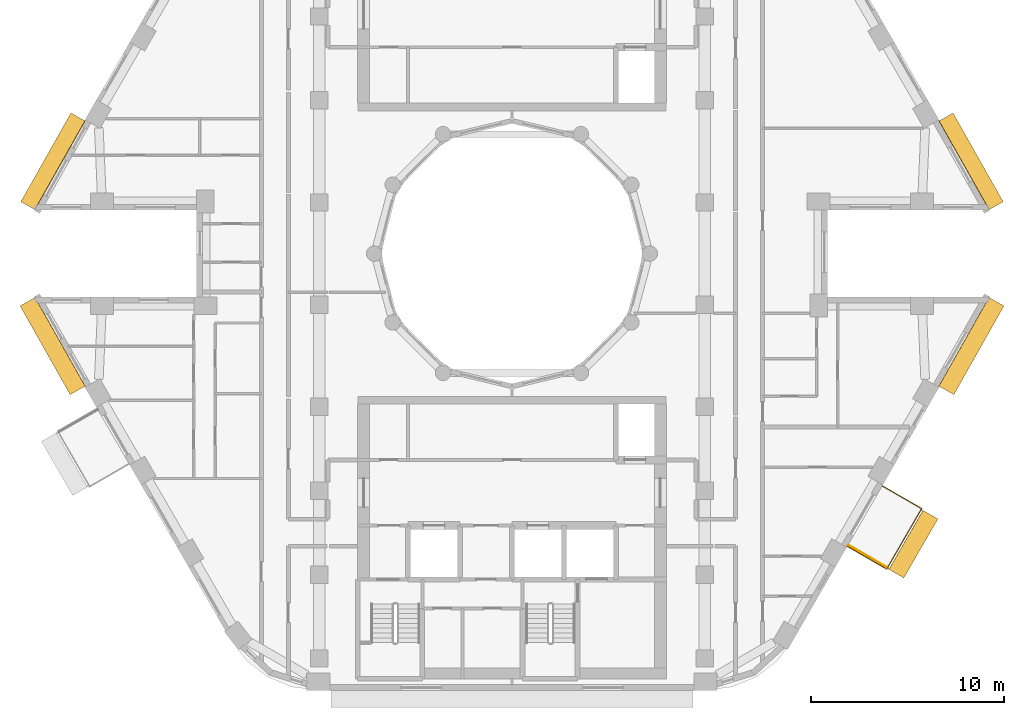
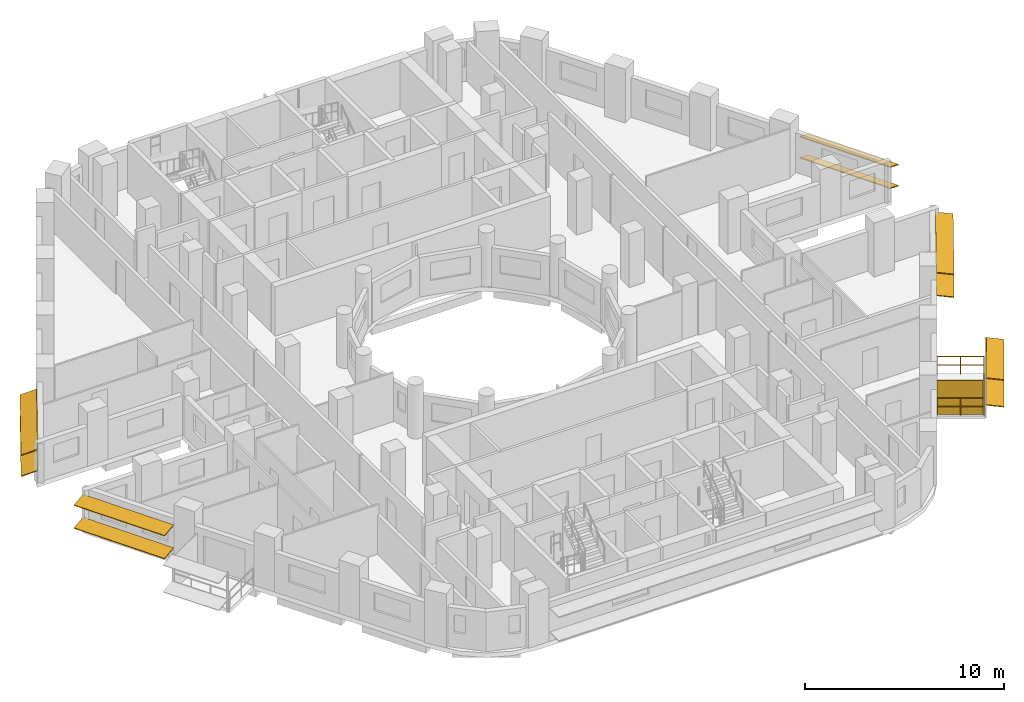
# One storey, part 14 of 15: 11 shading devices, 1 railing.
"""IFC4 building model written with IfcOpenShell, lengths in metres."""

import ifcopenshell
import ifcopenshell.guid

model = None  # the IFC model being written
_history = None  # IfcOwnerHistory: only IFC2X3 demands one
_inside = {}  # id of a spatial element -> (the spatial element, [elements in it])
_under = {}  # id of a project, library or spatial element -> (it, [spatial elements below it])
_declared = {}  # id of a project -> (the project, [libraries it declares])
_typed = {}  # id of a type object -> (the type object, [elements of that type])
_made_of = {}  # id of a material, layer set ... -> (it, [elements and type objects made of it])


def new_model(schema):
    """Start an empty IFC model of exactly this schema.

    Asked for "IFC4X3", IfcOpenShell would pick the latest addendum, in which some entities
    have other attributes; the version numbers below select the first issue.
    IFC2X3 requires an IfcOwnerHistory on every rooted entity: one is made here for all.
    """
    global model, _history
    if schema == "IFC4X3":
        model = ifcopenshell.file(schema_version=(4, 3, 0, 0))
    else:
        model = ifcopenshell.file(schema=schema)
    _inside.clear()
    _under.clear()
    _declared.clear()
    _typed.clear()
    _made_of.clear()
    _history = None
    if model.schema == "IFC2X3":
        org = make("IfcOrganization", Name="unknown")
        user = make(
            "IfcPersonAndOrganization",
            ThePerson=make("IfcPerson", FamilyName="unknown"),
            TheOrganization=org,
        )
        app = make(
            "IfcApplication",
            ApplicationDeveloper=org,
            Version="unknown",
            ApplicationFullName="unknown",
            ApplicationIdentifier="unknown",
        )
        _history = make(
            "IfcOwnerHistory",
            OwningUser=user,
            OwningApplication=app,
            ChangeAction="ADDED",
            CreationDate=0,
        )
    return model


def make(cls, **values):
    """One entity of the class cls with the attributes given. An attribute that is None is left unset."""
    return model.create_entity(
        cls, **{name: value for name, value in values.items() if value is not None}
    )


def rooted(cls, **values):
    """An entity with a GlobalId (a new one), such as an element, a storey or a relation."""
    return make(cls, GlobalId=ifcopenshell.guid.new(), OwnerHistory=_history, **values)


def si_unit(unit_type, name, prefix=None):
    """IfcSIUnit, for example si_unit("LENGTHUNIT", "METRE", prefix="MILLI")."""
    return make("IfcSIUnit", UnitType=unit_type, Prefix=prefix, Name=name)


def assignment(units):
    """IfcUnitAssignment: the units of a project."""
    return None if units is None else make("IfcUnitAssignment", Units=units)


def point(xyz):
    """IfcCartesianPoint."""
    return None if xyz is None else make("IfcCartesianPoint", Coordinates=xyz)


def direction(xyz):
    """IfcDirection."""
    return None if xyz is None else make("IfcDirection", DirectionRatios=xyz)


def frame(location, z_axis=None, x_axis=None):
    """IfcAxis2Placement3D, a coordinate frame: its origin and axes. An axis left out is left unset."""
    return make(
        "IfcAxis2Placement3D",
        Location=point(location),
        Axis=direction(z_axis),
        RefDirection=direction(x_axis),
    )


def frame_2d(location, x_axis=None):
    """IfcAxis2Placement2D, a coordinate frame in the plane: its origin and x axis."""
    return make(
        "IfcAxis2Placement2D", Location=point(location), RefDirection=direction(x_axis)
    )


def origin():
    """The frame at (0, 0, 0) with its axes left unset."""
    return frame((0.0, 0.0, 0.0))


def origin_2d():
    """The frame at (0, 0) in the plane with its x axis left unset."""
    return frame_2d((0.0, 0.0))


def place(relative_to, where):
    """IfcLocalPlacement: puts the frame where relative to a parent placement (None: the world)."""
    return make(
        "IfcLocalPlacement", PlacementRelTo=relative_to, RelativePlacement=where
    )


def context(
    kind, dimensions, precision=None, world=None, true_north=None, identifier=None
):
    """IfcGeometricRepresentationContext, for example the 3D "Model" context."""
    return make(
        "IfcGeometricRepresentationContext",
        ContextIdentifier=identifier,
        ContextType=kind,
        CoordinateSpaceDimension=dimensions,
        Precision=precision,
        WorldCoordinateSystem=world,
        TrueNorth=true_north,
    )


def subcontext(parent, identifier, kind, view, scale=None):
    """IfcGeometricRepresentationSubContext, for example "Body" below "Model"."""
    return make(
        "IfcGeometricRepresentationSubContext",
        ContextIdentifier=identifier,
        ContextType=kind,
        ParentContext=parent,
        TargetScale=scale,
        TargetView=view,
    )


def project(units=None, contexts=None):
    """IfcProject with its units and contexts."""
    return rooted(
        "IfcProject",
        Name="project",
        RepresentationContexts=contexts,
        UnitsInContext=assignment(units),
    )


def spatial(cls, under=None, at=None, **own):
    """A site, building, storey or space (cls), placed at a placement, below another one or the project."""
    s = rooted(cls, ObjectPlacement=at, **own)
    if under is not None:
        _under.setdefault(under.id(), (under, []))[1].append(s)
    return s


def profile(cls, at=None, kind="AREA", **sizes):
    """A parametric profile (cls). Its sizes go by their IFC names, for example OverallWidth=200.0."""
    return make(cls, ProfileType=kind, Position=at, **sizes)


def rectangle(**sizes):
    """IfcRectangleProfileDef."""
    return profile("IfcRectangleProfileDef", **sizes)


def circle(**sizes):
    """IfcCircleProfileDef."""
    return profile("IfcCircleProfileDef", **sizes)


def extrude(swept, where, along, depth):
    """IfcExtrudedAreaSolid: the profile swept, set in the frame where, extruded along a direction by depth."""
    return make(
        "IfcExtrudedAreaSolid",
        SweptArea=swept,
        Position=where,
        ExtrudedDirection=direction(along),
        Depth=depth,
    )


def shape(context_of_items, identifier, shape_type, items):
    """IfcShapeRepresentation: the items that make up one representation, for example the "Body"."""
    return make(
        "IfcShapeRepresentation",
        ContextOfItems=context_of_items,
        RepresentationIdentifier=identifier,
        RepresentationType=shape_type,
        Items=items,
    )


def material(Name=None, Category=None):
    """IfcMaterial."""
    return make("IfcMaterial", Name=Name, Category=Category)


def layer(
    of_material, thickness, ventilated=None, Name=None, Category=None, Priority=None
):
    """IfcMaterialLayer: one layer of a wall or slab, of a material (None: an air gap)."""
    return make(
        "IfcMaterialLayer",
        Material=of_material,
        LayerThickness=thickness,
        IsVentilated=ventilated,
        Name=Name,
        Category=Category,
        Priority=Priority,
    )


def layer_set(layers, Name=None):
    """IfcMaterialLayerSet."""
    return make("IfcMaterialLayerSet", MaterialLayers=layers, LayerSetName=Name)


def material_profile(
    of_material, cross_section, Name=None, Category=None, Priority=None
):
    """IfcMaterialProfile: a cross section and its material."""
    return make(
        "IfcMaterialProfile",
        Name=Name,
        Material=of_material,
        Profile=cross_section,
        Priority=Priority,
        Category=Category,
    )


def profile_set(profiles, Name=None, composite=None):
    """IfcMaterialProfileSet."""
    return make(
        "IfcMaterialProfileSet",
        Name=Name,
        MaterialProfiles=profiles,
        CompositeProfile=composite,
    )


def made_of(thing, what):
    """Note that an element or type object is made of a material, layer set ...; save() writes the relation."""
    if what is not None:
        _made_of.setdefault(what.id(), (what, []))[1].append(thing)
    return thing


def type_object(cls, material=None, **own):
    """A type object (cls), such as IfcWallType, which elements share."""
    return made_of(rooted(cls, **own), material)


def element(
    cls,
    number,
    at=None,
    inside=None,
    cuts=None,
    type_object=None,
    material=None,
    context=None,
    identifier="Body",
    shape_type=None,
    held_by="IfcProductDefinitionShape",
    body=None,
    shapes=None,
    **own,
):
    """One element of the class cls, such as IfcWall. Its Tag is "e" and its number.

    at: its placement. inside: the storey or other place that contains it. cuts: it is an
    opening in that element (IfcRelVoidsElement). A single representation is given by context,
    identifier, shape_type and body (its items); several are given by shapes. held_by: the class
    of the entity that holds the representations. save() writes the other relations.
    """
    e = rooted(cls, Tag="e%d" % number, ObjectPlacement=at, **own)
    if body is not None:
        shapes = [shape(context, identifier, shape_type, body)]
    if shapes is not None:
        e.Representation = make(held_by, Representations=shapes)
    if inside is not None:
        _inside.setdefault(inside.id(), (inside, []))[1].append(e)
    if cuts is not None:
        rooted(
            "IfcRelVoidsElement", RelatingBuildingElement=cuts, RelatedOpeningElement=e
        )
    if type_object is not None:
        _typed.setdefault(type_object.id(), (type_object, []))[1].append(e)
    return made_of(e, material)


def aggregate(whole, parts):
    """IfcRelAggregates: a whole, such as a stair, and the parts it consists of."""
    return rooted("IfcRelAggregates", RelatingObject=whole, RelatedObjects=parts)


def save(model, path):
    """Write the relations noted so far, then the file.

    IfcRelAggregates (storeys below a building ...), IfcRelContainedInSpatialStructure (elements
    in a storey), IfcRelDefinesByType, IfcRelAssociatesMaterial and IfcRelDeclares: one each for
    every whole, place, type object, material and project.
    """
    for whole, parts in _under.values():
        aggregate(whole, parts)
    for where, things in _inside.values():
        rooted(
            "IfcRelContainedInSpatialStructure",
            RelatedElements=things,
            RelatingStructure=where,
        )
    for kind, things in _typed.values():
        rooted("IfcRelDefinesByType", RelatedObjects=things, RelatingType=kind)
    for what, things in _made_of.values():
        rooted("IfcRelAssociatesMaterial", RelatedObjects=things, RelatingMaterial=what)
    for by, libraries in _declared.values():
        rooted("IfcRelDeclares", RelatingContext=by, RelatedDefinitions=libraries)
    model.write(path)


model = new_model("IFC4")

# Units and contexts
model_context = context("Model", 3, precision=1e-05, world=origin(), true_north=direction((0.0, 1.0)))
body_context = subcontext(model_context, "Body", "Model", "MODEL_VIEW")
ifc_project = project(units=[si_unit("LENGTHUNIT", "METRE"), si_unit("AREAUNIT", "SQUARE_METRE"), si_unit("VOLUMEUNIT", "CUBIC_METRE"), si_unit("PLANEANGLEUNIT", "RADIAN"), si_unit("MASSUNIT", "GRAM", prefix="KILO")], contexts=[model_context])

# Site, building, storey
site_placement = place(None, origin())
site = spatial("IfcSite", under=ifc_project, at=site_placement, CompositionType="ELEMENT")
building_placement = place(site_placement, origin())
building = spatial("IfcBuilding", under=site, at=building_placement, Name="Nakaniwa Court", CompositionType="ELEMENT")
storey_placement = place(building_placement, frame((0.0, 0.0, 213.0)))
storey = spatial("IfcBuildingStorey", under=building, at=storey_placement, Name="L56", CompositionType="ELEMENT", Elevation=213.0)

# Railing
ifc_material_1 = material(Name="Black powder-coated steel flat bar balustrade S275", Category="steel")
railing_type = type_object("IfcRailingType", Name="Black metal balcony guard 1100", PredefinedType="GUARDRAIL", material=ifc_material_1)
railing_placement = place(storey_placement, frame((97.390869140625, 64.822021484375, -0.050048828125)))
element("IfcRailing", 1, at=railing_placement, inside=storey, type_object=railing_type, Name="L56 balcony guard 02", PredefinedType="GUARDRAIL", context=body_context, shape_type="SweptSolid", body=[
    extrude(circle(Radius=0.02392578125, at=origin_2d()), frame((0.0, 0.0, 1.076171875), z_axis=(0.866006432019, -0.500032858622, 0.0), x_axis=(0.500032858622, 0.866006432019, 0.0)), (0.0, 0.0, 1.0), 2.360107421875),
    extrude(circle(Radius=0.02392578125, at=origin_2d()), frame((0.0, 0.0, 0.550048828125), z_axis=(0.866006432019, -0.500032858622, 0.0), x_axis=(0.500032858622, 0.866006432019, 0.0)), (0.0, 0.0, 1.0), 2.360107421875),
    extrude(circle(Radius=0.02392578125, at=origin_2d()), frame((2.0439453125, -1.18017578125, 1.076171875), z_axis=(0.499987379426, 0.866032690154, 0.0), x_axis=(-0.866032690154, 0.499987379426, 0.0)), (0.0, 0.0, 1.0), 3.6162109375),
    extrude(circle(Radius=0.02392578125, at=origin_2d()), frame((2.0439453125, -1.18017578125, 0.550048828125), z_axis=(0.499987379426, 0.866032690154, 0.0), x_axis=(-0.866032690154, 0.499987379426, 0.0)), (0.0, 0.0, 1.0), 3.6162109375),
    extrude(circle(Radius=0.02392578125, at=origin_2d()), frame((3.85205078125, 1.95166015625, 1.076171875), z_axis=(-0.866025363618, 0.50000006957, 0.0), x_axis=(-0.50000006957, -0.866025363618, 0.0)), (0.0, 0.0, 1.0), 2.35986328125),
    extrude(circle(Radius=0.02392578125, at=origin_2d()), frame((3.85205078125, 1.95166015625, 0.550048828125), z_axis=(-0.866025363618, 0.50000006957, 0.0), x_axis=(-0.50000006957, -0.866025363618, 0.0)), (0.0, 0.0, 1.0), 2.35986328125),
    extrude(circle(Radius=0.02099609375, at=origin_2d()), origin(), (0.0, 0.0, 1.0), 1.052001953125),
    extrude(circle(Radius=0.02099609375, at=origin_2d()), frame((1.02197265625, -0.590087890625, 0.0)), (0.0, 0.0, 1.0), 1.052001953125),
    extrude(circle(Radius=0.02099609375, at=origin_2d()), frame((2.0439453125, -1.18017578125, 0.0)), (0.0, 0.0, 1.0), 1.052001953125),
    extrude(circle(Radius=0.02099609375, at=origin_2d()), frame((2.49609375, -0.397216796875, 0.0)), (0.0, 0.0, 1.0), 1.052001953125),
    extrude(circle(Radius=0.02099609375, at=origin_2d()), frame((2.947998046875, 0.3857421875, 0.0)), (0.0, 0.0, 1.0), 1.052001953125),
    extrude(circle(Radius=0.02099609375, at=origin_2d()), frame((3.39990234375, 1.168701171875, 0.0)), (0.0, 0.0, 1.0), 1.052001953125),
    extrude(circle(Radius=0.02099609375, at=origin_2d()), frame((3.85205078125, 1.95166015625, 0.0)), (0.0, 0.0, 1.0), 1.052001953125),
    extrude(circle(Radius=0.02099609375, at=origin_2d()), frame((2.830078125, 2.54150390625, 0.0)), (0.0, 0.0, 1.0), 1.052001953125),
    extrude(circle(Radius=0.02099609375, at=origin_2d()), frame((1.808349609375, 3.131591796875, 0.0)), (0.0, 0.0, 1.0), 1.052001953125),
])

# Shading devices
ifc_material_2 = material(Name="Black powder-coated aluminium slat screen", Category="aluminium")
ifc_layer = layer(ifc_material_2, 0.0400390625)
ifc_layer_set = layer_set([ifc_layer], Name="Black powder-coated aluminium slat screen")
shading_device_type_1 = type_object("IfcShadingDeviceType", Name="Koshi screen black metal", PredefinedType="USERDEFINED", material=ifc_layer_set)
shading_device_placement = place(storey_placement, frame((98.43115234375, 64.313720703125, -0.050048828125), z_axis=(0.0, 0.0, 1.0), x_axis=(0.500016626402, 0.866015804314, 0.0)))
element("IfcShadingDevice", 2, at=shading_device_placement, inside=storey, type_object=shading_device_type_1, Name="L56 balcony SCREEN 02 W", ObjectType="KOSHI SCREEN", PredefinedType="USERDEFINED", context=body_context, shape_type="SweptSolid", body=[
    extrude(rectangle(XDim=0.0400390625, YDim=2.31005859375, at=origin_2d()), origin(), (0.0, 0.0, 1.0), 2.10009765625),
])
ifc_material_3 = material(Name="Perforated charcoal ceramic louvre blade")
ifc_material_profile = material_profile(ifc_material_3, rectangle(XDim=0.89990234375, YDim=0.050048828125, at=origin_2d()), Name="Perforated ceramic louvre blade")
ifc_profile_set = profile_set([ifc_material_profile], Name="Perforated charcoal ceramic louvre blade")
shading_device_type_2 = type_object("IfcShadingDeviceType", Name="Perforated ceramic louvre blade", PredefinedType="JALOUSIE", material=ifc_profile_set)
for number, where, z_axis, x_axis, name in (
    (3, (99.930419921875, 63.40185546875, 0.5), (0.500037187688, 0.866003932398, 0.0), (-0.858595148706, 0.495759300229, 0.13052619222), "L56 perforated ceramic louvre blade 02 1"),
    (4, (99.930419921875, 63.40185546875, 2.14990234375), (0.500037187688, 0.866003932398, 0.0), (-0.858595148706, 0.495759300229, 0.13052619222), "L56 perforated ceramic louvre blade 02 2"),
):
    element("IfcShadingDevice", number, at=place(storey_placement, frame(where, z_axis=z_axis, x_axis=x_axis)), inside=storey, type_object=shading_device_type_2, Name=name, PredefinedType="JALOUSIE", context=body_context, shape_type="SweptSolid", body=[
        extrude(rectangle(XDim=0.89990234375, YDim=0.050048828125, at=origin_2d()), origin(), (0.0, 0.0, 1.0), 3.536376953125),
    ])
for number, where, z_axis, x_axis, name in (
    (5, (105.103759765625, 82.480224609375, 0.550048828125), (-0.492005517921, 0.870592080331, 0.0), (-0.804902454764, -0.454881750109, 0.38107037635), "L56 perforated ceramic louvre blade w02 1"),
    (6, (105.103759765625, 82.480224609375, 1.845458984375), (-0.492005517921, 0.870592080331, 0.0), (-0.804902454764, -0.454881750109, 0.38107037635), "L56 perforated ceramic louvre blade w02 2"),
    (7, (57.497314453125, 87.082763671875, 0.550048828125), (-0.492005517921, -0.870592080331, 0.0), (0.804902454764, -0.454881750109, 0.38107037635), "L56 perforated ceramic louvre blade w14 1"),
    (8, (57.497314453125, 87.082763671875, 1.845458984375), (-0.492005517921, -0.870592080331, 0.0), (0.804902454764, -0.454881750109, 0.38107037635), "L56 perforated ceramic louvre blade w14 2"),
):
    element("IfcShadingDevice", number, at=place(storey_placement, frame(where, z_axis=z_axis, x_axis=x_axis)), inside=storey, type_object=shading_device_type_2, Name=name, PredefinedType="JALOUSIE", context=body_context, shape_type="SweptSolid", body=[
        extrude(rectangle(XDim=0.89990234375, YDim=0.050048828125, at=origin_2d()), origin(), (0.0, 0.0, 1.0), 5.28662109375),
    ])
for number, where, z_axis, x_axis, name in (
    (9, (54.87548828125, 77.508056640625, 0.550048828125), (0.492040518232, -0.870572299363, 0.0), (0.862924792041, 0.487718208105, 0.132256390257), "L56 perforated ceramic louvre blade w20 1"),
    (10, (54.87548828125, 77.508056640625, 1.955810546875), (0.492040518232, -0.870572299363, 0.0), (0.862924792041, 0.487718208105, 0.132256390257), "L56 perforated ceramic louvre blade w20 2"),
    (11, (102.523193359375, 72.905517578125, 0.550048828125), (0.492040518232, 0.870572299363, 0.0), (-0.862924792041, 0.487718208105, 0.132256390257), "L56 perforated ceramic louvre blade w32 1"),
    (12, (102.523193359375, 72.905517578125, 1.955810546875), (0.492040518232, 0.870572299363, 0.0), (-0.862924792041, 0.487718208105, 0.132256390257), "L56 perforated ceramic louvre blade w32 2"),
):
    element("IfcShadingDevice", number, at=place(storey_placement, frame(where, z_axis=z_axis, x_axis=x_axis)), inside=storey, type_object=shading_device_type_2, Name=name, PredefinedType="JALOUSIE", context=body_context, shape_type="SweptSolid", body=[
        extrude(rectangle(XDim=0.89990234375, YDim=0.050048828125, at=origin_2d()), origin(), (0.0, 0.0, 1.0), 5.286865234375),
    ])

save(model, "model.ifc")
